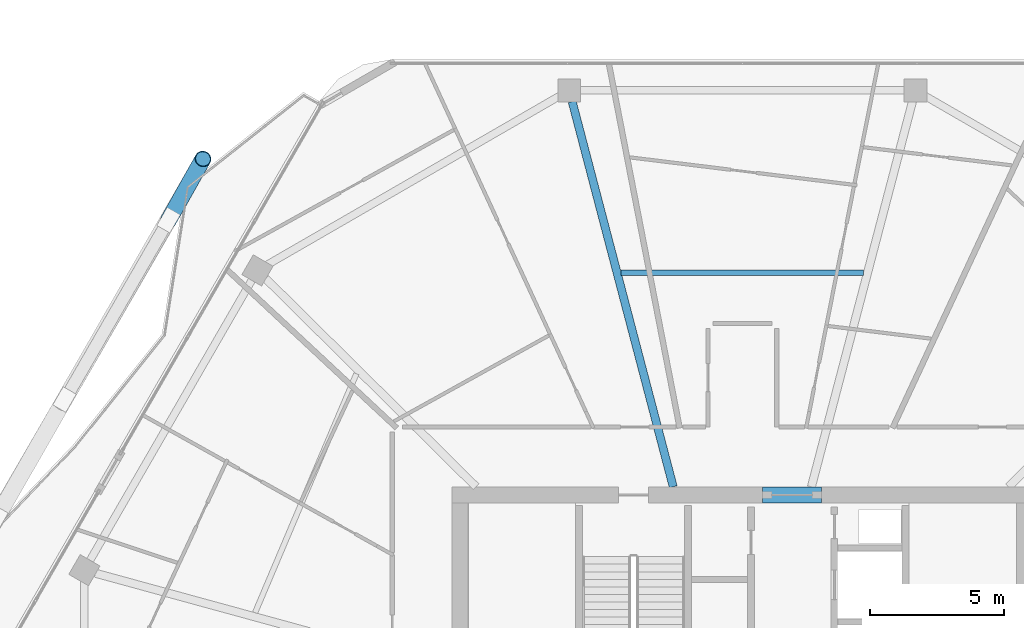
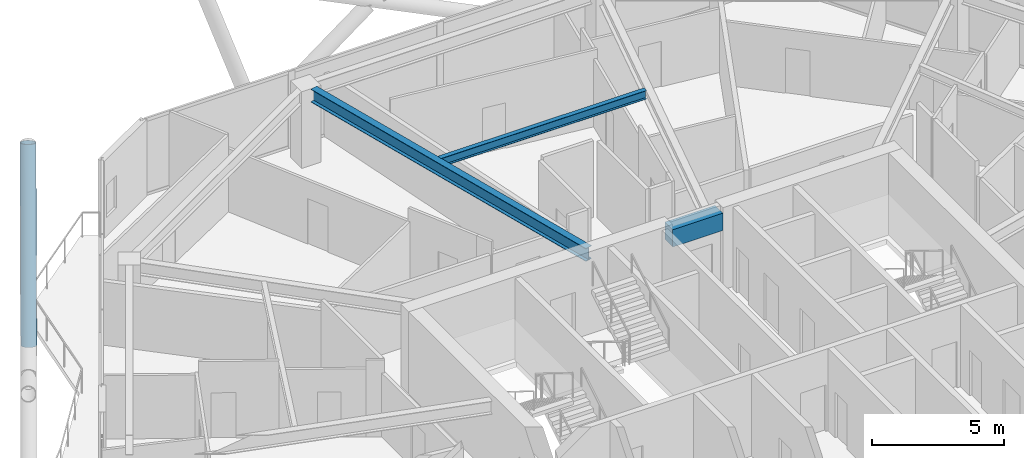
# One storey, part 14 of 29: 3 beams, 1 member.
"""IFC4 building model written with IfcOpenShell, lengths in metres."""

from ifc_helpers import new_model, si_unit, direction, frame, origin, origin_2d, place, context, subcontext, project, spatial, rectangle, hollow_circle, i_section, extrude, material, material_profile, profile_set, type_object, element, save


model = new_model("IFC4")

# Units and contexts
model_context = context("Model", 3, precision=1e-05, world=origin(), true_north=direction((0.0, 1.0)))
body_context = subcontext(model_context, "Body", "Model", "MODEL_VIEW")
ifc_project = project(units=[si_unit("LENGTHUNIT", "METRE"), si_unit("AREAUNIT", "SQUARE_METRE"), si_unit("VOLUMEUNIT", "CUBIC_METRE"), si_unit("PLANEANGLEUNIT", "RADIAN"), si_unit("MASSUNIT", "GRAM", prefix="KILO")], contexts=[model_context])

# Site, building, storey
site_placement = place(None, origin())
site = spatial("IfcSite", under=ifc_project, at=site_placement, CompositionType="ELEMENT")
building_placement = place(site_placement, origin())
building = spatial("IfcBuilding", under=site, at=building_placement, Name="Zuhravey Tower", CompositionType="ELEMENT")
storey_placement = place(building_placement, frame((0.0, 0.0, 269.199951171875)))
storey = spatial("IfcBuildingStorey", under=building, at=storey_placement, Name="L68", CompositionType="ELEMENT", Elevation=269.199951171875)

# Beam
ifc_material_1 = material(Name="Concrete C50/60", Category="concrete")
ifc_material_profile_1 = material_profile(ifc_material_1, rectangle(XDim=0.60009765625, YDim=0.800048828125, at=origin_2d()), Name="RC-600x800")
ifc_profile_set_1 = profile_set([ifc_material_profile_1], Name="Concrete C50/60")
beam_type_1 = type_object("IfcBeamType", Name="Core Coupling Beam RC600x800", PredefinedType="LINTEL", material=ifc_profile_set_1)
beam_1_placement = place(storey_placement, frame((36.751953125, 41.5, 3.150146484375), z_axis=(1.0, 0.0, 0.0), x_axis=(0.0, 1.0, 0.0)))
element("IfcBeam", 1, at=beam_1_placement, inside=storey, type_object=beam_type_1, Name="L68 CB2 BM-L68-CB-N", PredefinedType="LINTEL", context=body_context, shape_type="SweptSolid", body=[
    extrude(rectangle(XDim=0.60009765625, YDim=0.800048828125, at=origin_2d()), origin(), (0.0, 0.0, 1.0), 2.196044921875),
])

# Member
ifc_material_2 = material(Name="Steel SM355", Category="steel")
ifc_material_profile_2 = material_profile(ifc_material_2, hollow_circle(Radius=0.3046875, WallThickness=0.028076171875, at=origin_2d()), Name="CHS-609.6x28")
ifc_profile_set_2 = profile_set([ifc_material_profile_2], Name="Steel SM355")
member_type = type_object("IfcMemberType", Name="Exoskeleton Zone 3 Diagrid CHS610x28", PredefinedType="BRACE", material=ifc_profile_set_2)
member_placement = place(storey_placement, frame((14.65185546875, 51.7314453125, -0.446044921875), z_axis=(0.159820539161, 0.284216938199, 0.94534550684), x_axis=(-0.871643002203, 0.490141282398, 0.0)))
element("IfcMember", 2, at=member_placement, inside=storey, type_object=member_type, Name="L68 Face 3 Diagrid Brace 1", PredefinedType="BRACE", context=body_context, shape_type="SweptSolid", body=[
    extrude(hollow_circle(Radius=0.3046875, WallThickness=0.028076171875, at=origin_2d()), origin(), (0.0, 0.0, 1.0), 8.00146484375),
])

# Beams
ifc_material_profile_3 = material_profile(ifc_material_2, i_section(OverallWidth=0.300048828125, OverallDepth=0.60009765625, WebThickness=0.011962890625, FlangeThickness=0.02001953125, at=origin_2d()), Name="H-600x300x12x20")
ifc_profile_set_3 = profile_set([ifc_material_profile_3], Name="Steel SM355")
beam_type_2 = type_object("IfcBeamType", Name="Radial Primary Girder H600x300", PredefinedType="BEAM", material=ifc_profile_set_3)
beam_2_placement = place(storey_placement, frame((33.428466796875, 41.802978515625, 3.25), z_axis=(-0.25373188956, 0.967274587809, 0.0), x_axis=(-0.967274587809, -0.25373188956, 0.0)))
element("IfcBeam", 3, at=beam_2_placement, inside=storey, type_object=beam_type_2, Name="L68 RG3 BM-L68-RAD-04", PredefinedType="BEAM", context=body_context, shape_type="SweptSolid", body=[
    extrude(i_section(OverallWidth=0.300048828125, OverallDepth=0.60009765625, WebThickness=0.011962890625, FlangeThickness=0.02001953125, at=origin_2d()), origin(), (0.0, 0.0, 1.0), 14.82177734375),
])
ifc_material_profile_4 = material_profile(ifc_material_2, i_section(OverallWidth=0.199951171875, OverallDepth=0.39990234375, WebThickness=0.008056640625, FlangeThickness=0.012939453125, at=origin_2d()), Name="H-400x200x8x13")
ifc_profile_set_4 = profile_set([ifc_material_profile_4], Name="Steel SM355")
beam_type_3 = type_object("IfcBeamType", Name="Secondary Floor Joist H400x200", PredefinedType="JOIST", material=ifc_profile_set_4)
beam_3_placement = place(storey_placement, frame((40.507080078125, 49.768310546875, 3.35009765625), z_axis=(-1.0, 0.0, 0.0), x_axis=(0.0, -1.0, 0.0)))
element("IfcBeam", 4, at=beam_3_placement, inside=storey, type_object=beam_type_3, Name="L68 SJ2 BM-L68-SJ-03-1", PredefinedType="JOIST", context=body_context, shape_type="SweptSolid", body=[
    extrude(i_section(OverallWidth=0.199951171875, OverallDepth=0.39990234375, WebThickness=0.008056640625, FlangeThickness=0.012939453125, at=origin_2d()), origin(), (0.0, 0.0, 1.0), 9.01416015625),
])

save(model, "model.ifc")
